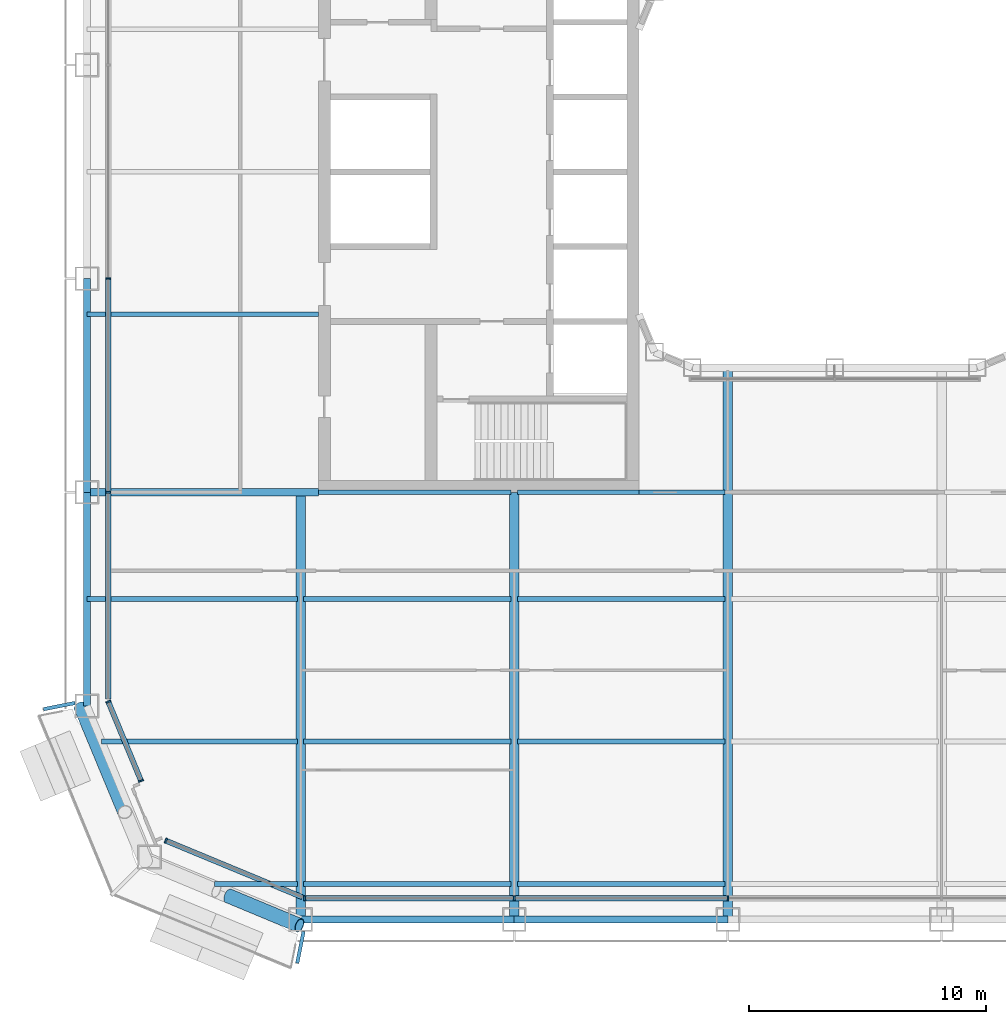
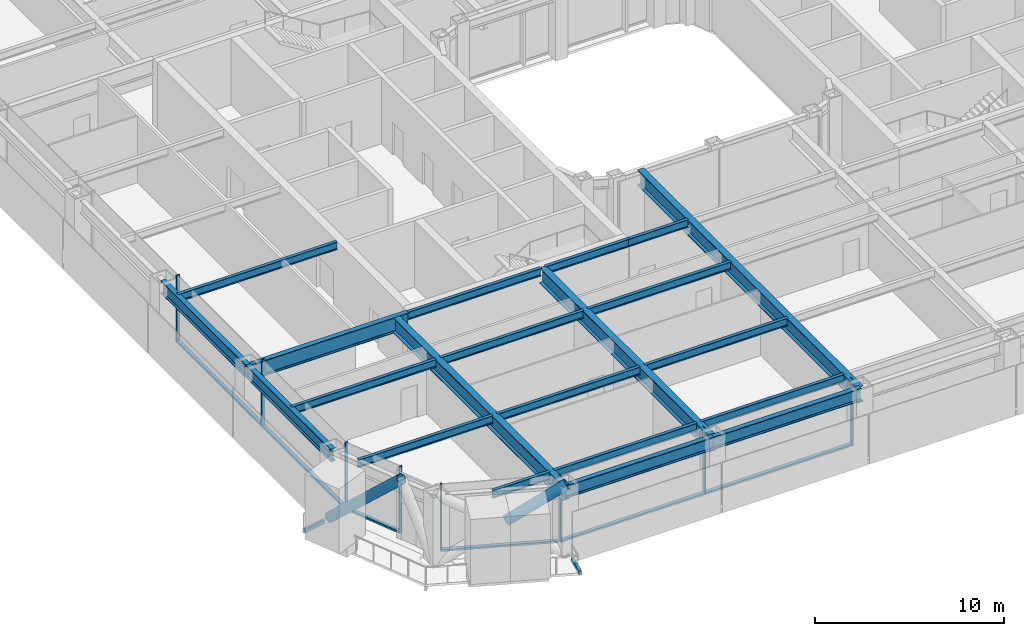
# One storey, part 2 of 27: 23 beams, 16 members, 4 elements without a shape of their own.
"""IFC4 building model written with IfcOpenShell, lengths in metres."""

import ifcopenshell
import ifcopenshell.guid

model = None  # the IFC model being written
_history = None  # IfcOwnerHistory: only IFC2X3 demands one
_inside = {}  # id of a spatial element -> (the spatial element, [elements in it])
_under = {}  # id of a project, library or spatial element -> (it, [spatial elements below it])
_declared = {}  # id of a project -> (the project, [libraries it declares])
_typed = {}  # id of a type object -> (the type object, [elements of that type])
_made_of = {}  # id of a material, layer set ... -> (it, [elements and type objects made of it])


def new_model(schema):
    """Start an empty IFC model of exactly this schema.

    Asked for "IFC4X3", IfcOpenShell would pick the latest addendum, in which some entities
    have other attributes; the version numbers below select the first issue.
    IFC2X3 requires an IfcOwnerHistory on every rooted entity: one is made here for all.
    """
    global model, _history
    if schema == "IFC4X3":
        model = ifcopenshell.file(schema_version=(4, 3, 0, 0))
    else:
        model = ifcopenshell.file(schema=schema)
    _inside.clear()
    _under.clear()
    _declared.clear()
    _typed.clear()
    _made_of.clear()
    _history = None
    if model.schema == "IFC2X3":
        org = make("IfcOrganization", Name="unknown")
        user = make(
            "IfcPersonAndOrganization",
            ThePerson=make("IfcPerson", FamilyName="unknown"),
            TheOrganization=org,
        )
        app = make(
            "IfcApplication",
            ApplicationDeveloper=org,
            Version="unknown",
            ApplicationFullName="unknown",
            ApplicationIdentifier="unknown",
        )
        _history = make(
            "IfcOwnerHistory",
            OwningUser=user,
            OwningApplication=app,
            ChangeAction="ADDED",
            CreationDate=0,
        )
    return model


def make(cls, **values):
    """One entity of the class cls with the attributes given. An attribute that is None is left unset."""
    return model.create_entity(
        cls, **{name: value for name, value in values.items() if value is not None}
    )


def rooted(cls, **values):
    """An entity with a GlobalId (a new one), such as an element, a storey or a relation."""
    return make(cls, GlobalId=ifcopenshell.guid.new(), OwnerHistory=_history, **values)


def si_unit(unit_type, name, prefix=None):
    """IfcSIUnit, for example si_unit("LENGTHUNIT", "METRE", prefix="MILLI")."""
    return make("IfcSIUnit", UnitType=unit_type, Prefix=prefix, Name=name)


def assignment(units):
    """IfcUnitAssignment: the units of a project."""
    return None if units is None else make("IfcUnitAssignment", Units=units)


def point(xyz):
    """IfcCartesianPoint."""
    return None if xyz is None else make("IfcCartesianPoint", Coordinates=xyz)


def direction(xyz):
    """IfcDirection."""
    return None if xyz is None else make("IfcDirection", DirectionRatios=xyz)


def frame(location, z_axis=None, x_axis=None):
    """IfcAxis2Placement3D, a coordinate frame: its origin and axes. An axis left out is left unset."""
    return make(
        "IfcAxis2Placement3D",
        Location=point(location),
        Axis=direction(z_axis),
        RefDirection=direction(x_axis),
    )


def frame_2d(location, x_axis=None):
    """IfcAxis2Placement2D, a coordinate frame in the plane: its origin and x axis."""
    return make(
        "IfcAxis2Placement2D", Location=point(location), RefDirection=direction(x_axis)
    )


def origin():
    """The frame at (0, 0, 0) with its axes left unset."""
    return frame((0.0, 0.0, 0.0))


def origin_2d():
    """The frame at (0, 0) in the plane with its x axis left unset."""
    return frame_2d((0.0, 0.0))


def place(relative_to, where):
    """IfcLocalPlacement: puts the frame where relative to a parent placement (None: the world)."""
    return make(
        "IfcLocalPlacement", PlacementRelTo=relative_to, RelativePlacement=where
    )


def context(
    kind, dimensions, precision=None, world=None, true_north=None, identifier=None
):
    """IfcGeometricRepresentationContext, for example the 3D "Model" context."""
    return make(
        "IfcGeometricRepresentationContext",
        ContextIdentifier=identifier,
        ContextType=kind,
        CoordinateSpaceDimension=dimensions,
        Precision=precision,
        WorldCoordinateSystem=world,
        TrueNorth=true_north,
    )


def subcontext(parent, identifier, kind, view, scale=None):
    """IfcGeometricRepresentationSubContext, for example "Body" below "Model"."""
    return make(
        "IfcGeometricRepresentationSubContext",
        ContextIdentifier=identifier,
        ContextType=kind,
        ParentContext=parent,
        TargetScale=scale,
        TargetView=view,
    )


def project(units=None, contexts=None):
    """IfcProject with its units and contexts."""
    return rooted(
        "IfcProject",
        Name="project",
        RepresentationContexts=contexts,
        UnitsInContext=assignment(units),
    )


def spatial(cls, under=None, at=None, **own):
    """A site, building, storey or space (cls), placed at a placement, below another one or the project."""
    s = rooted(cls, ObjectPlacement=at, **own)
    if under is not None:
        _under.setdefault(under.id(), (under, []))[1].append(s)
    return s


def profile(cls, at=None, kind="AREA", **sizes):
    """A parametric profile (cls). Its sizes go by their IFC names, for example OverallWidth=200.0."""
    return make(cls, ProfileType=kind, Position=at, **sizes)


def rectangle(**sizes):
    """IfcRectangleProfileDef."""
    return profile("IfcRectangleProfileDef", **sizes)


def hollow_rectangle(**sizes):
    """IfcRectangleHollowProfileDef."""
    return profile("IfcRectangleHollowProfileDef", **sizes)


def hollow_circle(**sizes):
    """IfcCircleHollowProfileDef."""
    return profile("IfcCircleHollowProfileDef", **sizes)


def i_section(**sizes):
    """IfcIShapeProfileDef."""
    return profile("IfcIShapeProfileDef", **sizes)


def extrude(swept, where, along, depth):
    """IfcExtrudedAreaSolid: the profile swept, set in the frame where, extruded along a direction by depth."""
    return make(
        "IfcExtrudedAreaSolid",
        SweptArea=swept,
        Position=where,
        ExtrudedDirection=direction(along),
        Depth=depth,
    )


def shape(context_of_items, identifier, shape_type, items):
    """IfcShapeRepresentation: the items that make up one representation, for example the "Body"."""
    return make(
        "IfcShapeRepresentation",
        ContextOfItems=context_of_items,
        RepresentationIdentifier=identifier,
        RepresentationType=shape_type,
        Items=items,
    )


def material(Name=None, Category=None):
    """IfcMaterial."""
    return make("IfcMaterial", Name=Name, Category=Category)


def layer(
    of_material, thickness, ventilated=None, Name=None, Category=None, Priority=None
):
    """IfcMaterialLayer: one layer of a wall or slab, of a material (None: an air gap)."""
    return make(
        "IfcMaterialLayer",
        Material=of_material,
        LayerThickness=thickness,
        IsVentilated=ventilated,
        Name=Name,
        Category=Category,
        Priority=Priority,
    )


def layer_set(layers, Name=None):
    """IfcMaterialLayerSet."""
    return make("IfcMaterialLayerSet", MaterialLayers=layers, LayerSetName=Name)


def material_profile(
    of_material, cross_section, Name=None, Category=None, Priority=None
):
    """IfcMaterialProfile: a cross section and its material."""
    return make(
        "IfcMaterialProfile",
        Name=Name,
        Material=of_material,
        Profile=cross_section,
        Priority=Priority,
        Category=Category,
    )


def profile_set(profiles, Name=None, composite=None):
    """IfcMaterialProfileSet."""
    return make(
        "IfcMaterialProfileSet",
        Name=Name,
        MaterialProfiles=profiles,
        CompositeProfile=composite,
    )


def made_of(thing, what):
    """Note that an element or type object is made of a material, layer set ...; save() writes the relation."""
    if what is not None:
        _made_of.setdefault(what.id(), (what, []))[1].append(thing)
    return thing


def type_object(cls, material=None, **own):
    """A type object (cls), such as IfcWallType, which elements share."""
    return made_of(rooted(cls, **own), material)


def element(
    cls,
    number,
    at=None,
    inside=None,
    cuts=None,
    type_object=None,
    material=None,
    context=None,
    identifier="Body",
    shape_type=None,
    held_by="IfcProductDefinitionShape",
    body=None,
    shapes=None,
    **own,
):
    """One element of the class cls, such as IfcWall. Its Tag is "e" and its number.

    at: its placement. inside: the storey or other place that contains it. cuts: it is an
    opening in that element (IfcRelVoidsElement). A single representation is given by context,
    identifier, shape_type and body (its items); several are given by shapes. held_by: the class
    of the entity that holds the representations. save() writes the other relations.
    """
    e = rooted(cls, Tag="e%d" % number, ObjectPlacement=at, **own)
    if body is not None:
        shapes = [shape(context, identifier, shape_type, body)]
    if shapes is not None:
        e.Representation = make(held_by, Representations=shapes)
    if inside is not None:
        _inside.setdefault(inside.id(), (inside, []))[1].append(e)
    if cuts is not None:
        rooted(
            "IfcRelVoidsElement", RelatingBuildingElement=cuts, RelatedOpeningElement=e
        )
    if type_object is not None:
        _typed.setdefault(type_object.id(), (type_object, []))[1].append(e)
    return made_of(e, material)


def aggregate(whole, parts):
    """IfcRelAggregates: a whole, such as a stair, and the parts it consists of."""
    return rooted("IfcRelAggregates", RelatingObject=whole, RelatedObjects=parts)


def save(model, path):
    """Write the relations noted so far, then the file.

    IfcRelAggregates (storeys below a building ...), IfcRelContainedInSpatialStructure (elements
    in a storey), IfcRelDefinesByType, IfcRelAssociatesMaterial and IfcRelDeclares: one each for
    every whole, place, type object, material and project.
    """
    for whole, parts in _under.values():
        aggregate(whole, parts)
    for where, things in _inside.values():
        rooted(
            "IfcRelContainedInSpatialStructure",
            RelatedElements=things,
            RelatingStructure=where,
        )
    for kind, things in _typed.values():
        rooted("IfcRelDefinesByType", RelatedObjects=things, RelatingType=kind)
    for what, things in _made_of.values():
        rooted("IfcRelAssociatesMaterial", RelatedObjects=things, RelatingMaterial=what)
    for by, libraries in _declared.values():
        rooted("IfcRelDeclares", RelatingContext=by, RelatedDefinitions=libraries)
    model.write(path)


model = new_model("IFC4")

# Units and contexts
model_context = context("Model", 3, precision=1e-05, world=origin(), true_north=direction((0.0, 1.0)))
body_context = subcontext(model_context, "Body", "Model", "MODEL_VIEW")
ifc_project = project(units=[si_unit("LENGTHUNIT", "METRE"), si_unit("AREAUNIT", "SQUARE_METRE"), si_unit("VOLUMEUNIT", "CUBIC_METRE"), si_unit("PLANEANGLEUNIT", "RADIAN"), si_unit("MASSUNIT", "GRAM", prefix="KILO")], contexts=[model_context])

# Site, building, storey
site_placement = place(None, origin())
site = spatial("IfcSite", under=ifc_project, at=site_placement, CompositionType="ELEMENT")
building_placement = place(site_placement, origin())
building = spatial("IfcBuilding", under=site, at=building_placement, Name="Siwar Civic Tower", CompositionType="ELEMENT")
storey_placement = place(building_placement, frame((0.0, 0.0, 89.699951171875)))
storey = spatial("IfcBuildingStorey", under=building, at=storey_placement, Name="L19", CompositionType="ELEMENT", Elevation=89.699951171875)

# Beams
ifc_material_1 = material(Name="Steel S355", Category="steel")
ifc_material_profile_1 = material_profile(ifc_material_1, hollow_rectangle(XDim=0.14990234375, YDim=0.25, WallThickness=0.010009765625, at=origin_2d()), Name="RHS250x150x10")
ifc_profile_set_1 = profile_set([ifc_material_profile_1], Name="Steel S355")
beam_type_1 = type_object("IfcBeamType", Name="ENV-BALCONY ARM", PredefinedType="BEAM", material=ifc_profile_set_1)
for number, where, z_axis, x_axis, name in (
    (1, (-32.0, -22.375244140625, -0.27490234375), (-0.980807679798, -0.194977678848, 0.0), (0.194977678848, -0.980807679798, 0.0), "Balcony cantilever beam SW 1"),
    (2, (-22.375244140625, -32.0, -0.27490234375), (-0.194977678848, -0.980807679798, 0.0), (0.980807679798, -0.194977678848, 0.0), "Balcony cantilever beam SW 3"),
):
    element("IfcBeam", number, at=place(storey_placement, frame(where, z_axis=z_axis, x_axis=x_axis)), inside=storey, type_object=beam_type_1, Name=name, PredefinedType="BEAM", context=body_context, shape_type="SweptSolid", body=[
        extrude(hollow_rectangle(XDim=0.14990234375, YDim=0.25, WallThickness=0.010009765625, at=origin_2d()), origin(), (0.0, 0.0, 1.0), 1.361083984375),
    ])

# Curtain wall, members
ifc_material_2 = material(Name="Aluminium and glass", Category="aluminium")
ifc_layer_1 = layer(ifc_material_2, 0.219970703125)
ifc_layer_set_1 = layer_set([ifc_layer_1], Name="Aluminium and glass")
curtain_wall_type_1 = type_object("IfcCurtainWallType", Name="ENV-CW-A", PredefinedType="NOTDEFINED", material=ifc_layer_set_1)
curtain_wall_1_placement = place(storey_placement, origin())
curtain_wall_1 = element("IfcCurtainWall", 3, at=curtain_wall_1_placement, inside=storey, type_object=curtain_wall_type_1, Name="Curtain wall A S", PredefinedType="NOTDEFINED")
ifc_material_3 = material(Name="Aluminium 6063-T6", Category="aluminium")
ifc_material_profile_2 = material_profile(ifc_material_3, rectangle(XDim=0.219970703125, YDim=0.070068359375, at=origin_2d()), Name="AL 220x70")
ifc_profile_set_2 = profile_set([ifc_material_profile_2], Name="Aluminium 6063-T6")
member_type_1 = type_object("IfcMemberType", Name="ENV-MULLION-A", PredefinedType="MULLION", material=ifc_profile_set_2)
member_1_placement = place(storey_placement, frame((-22.321044921875, -30.60009765625, 0.0), z_axis=(0.0, 0.0, 1.0), x_axis=(0.0, 1.0, 0.0)))
member_1 = element("IfcMember", 4, at=member_1_placement, type_object=member_type_1, Name="Mullion A S 1", PredefinedType="MULLION", context=body_context, shape_type="SweptSolid", body=[
    extrude(rectangle(XDim=0.219970703125, YDim=0.070068359375, at=origin_2d()), origin(), (0.0, 0.0, 1.0), 4.300048828125),
])
member_2_placement = place(storey_placement, frame((-13.5, -30.60009765625, 0.0), z_axis=(0.0, 0.0, 1.0), x_axis=(0.0, 1.0, 0.0)))
member_2 = element("IfcMember", 5, at=member_2_placement, type_object=member_type_1, Name="Mullion A S 2", PredefinedType="MULLION", context=body_context, shape_type="SweptSolid", body=[
    extrude(rectangle(XDim=0.219970703125, YDim=0.070068359375, at=origin_2d()), origin(), (0.0, 0.0, 1.0), 4.300048828125),
])
member_3_placement = place(storey_placement, frame((-4.5, -30.60009765625, 0.0), z_axis=(0.0, 0.0, 1.0), x_axis=(0.0, 1.0, 0.0)))
member_3 = element("IfcMember", 6, at=member_3_placement, type_object=member_type_1, Name="Mullion A S 3", PredefinedType="MULLION", context=body_context, shape_type="SweptSolid", body=[
    extrude(rectangle(XDim=0.219970703125, YDim=0.070068359375, at=origin_2d()), origin(), (0.0, 0.0, 1.0), 4.300048828125),
])

curtain_wall_2_placement = place(storey_placement, origin())
curtain_wall_2 = element("IfcCurtainWall", 7, at=curtain_wall_2_placement, inside=storey, type_object=curtain_wall_type_1, Name="Curtain wall A W", PredefinedType="NOTDEFINED")
member_4_placement = place(storey_placement, frame((-30.60009765625, -4.5, 0.0), z_axis=(0.0, 0.0, 1.0), x_axis=(1.0, 0.0, 0.0)))
member_4 = element("IfcMember", 8, at=member_4_placement, type_object=member_type_1, Name="Mullion A W 4", PredefinedType="MULLION", context=body_context, shape_type="SweptSolid", body=[
    extrude(rectangle(XDim=0.219970703125, YDim=0.070068359375, at=origin_2d()), origin(), (0.0, 0.0, 1.0), 4.300048828125),
])
member_5_placement = place(storey_placement, frame((-30.60009765625, -13.5, 0.0), z_axis=(0.0, 0.0, 1.0), x_axis=(1.0, 0.0, 0.0)))
member_5 = element("IfcMember", 9, at=member_5_placement, type_object=member_type_1, Name="Mullion A W 5", PredefinedType="MULLION", context=body_context, shape_type="SweptSolid", body=[
    extrude(rectangle(XDim=0.219970703125, YDim=0.070068359375, at=origin_2d()), origin(), (0.0, 0.0, 1.0), 4.300048828125),
])

ifc_material_4 = material(Name="Aluminium clad insulated panel", Category="aluminium")
ifc_layer_2 = layer(ifc_material_4, 0.219970703125)
ifc_layer_set_2 = layer_set([ifc_layer_2], Name="Aluminium clad insulated panel")
curtain_wall_type_2 = type_object("IfcCurtainWallType", Name="ENV-CW-AX", PredefinedType="NOTDEFINED", material=ifc_layer_set_2)
curtain_wall_3_placement = place(storey_placement, origin())
curtain_wall_3 = element("IfcCurtainWall", 10, at=curtain_wall_3_placement, inside=storey, type_object=curtain_wall_type_2, Name="Curtain wall A SW1", PredefinedType="NOTDEFINED")
member_6_placement = place(storey_placement, frame((-30.60009765625, -22.321044921875, 0.0), z_axis=(0.0, 0.0, 1.0), x_axis=(0.923879532511, 0.382683432365, 0.0)))
member_6 = element("IfcMember", 11, at=member_6_placement, type_object=member_type_1, Name="Mullion A SW1 1", PredefinedType="MULLION", context=body_context, shape_type="SweptSolid", body=[
    extrude(rectangle(XDim=0.219970703125, YDim=0.070068359375, at=origin_2d()), origin(), (0.0, 0.0, 1.0), 4.300048828125),
])
member_7_placement = place(storey_placement, frame((-29.219482421875, -25.653564453125, 0.0), z_axis=(0.0, 0.0, 1.0), x_axis=(0.923879532511, 0.382683432365, 0.0)))
member_7 = element("IfcMember", 12, at=member_7_placement, type_object=member_type_1, Name="Mullion A SW1 2", PredefinedType="MULLION", context=body_context, shape_type="SweptSolid", body=[
    extrude(rectangle(XDim=0.219970703125, YDim=0.070068359375, at=origin_2d()), origin(), (0.0, 0.0, 1.0), 4.300048828125),
])

# Curtain wall, member
curtain_wall_4_placement = place(storey_placement, origin())
curtain_wall_4 = element("IfcCurtainWall", 13, at=curtain_wall_4_placement, inside=storey, type_object=curtain_wall_type_2, Name="Curtain wall A SW2", PredefinedType="NOTDEFINED")
member_8_placement = place(storey_placement, frame((-28.175048828125, -28.175048828125, 0.0), z_axis=(0.0, 0.0, 1.0), x_axis=(0.382683432365, 0.923879532511, 0.0)))
member_8 = element("IfcMember", 14, at=member_8_placement, type_object=member_type_1, Name="Mullion A SW2 1", PredefinedType="MULLION", context=body_context, shape_type="SweptSolid", body=[
    extrude(rectangle(XDim=0.219970703125, YDim=0.070068359375, at=origin_2d()), origin(), (0.0, 0.0, 1.0), 4.300048828125),
])

# Member
ifc_material_5 = material(Name="Aluminium 6063-T6", Category="aluminium")
ifc_material_profile_3 = material_profile(ifc_material_5, rectangle(XDim=0.219970703125, YDim=0.1201171875, at=origin_2d()), Name="AL 220x120")
ifc_profile_set_3 = profile_set([ifc_material_profile_3], Name="Aluminium 6063-T6")
member_type_2 = type_object("IfcMemberType", Name="ENV-TRANSOM-A", PredefinedType="USERDEFINED", material=ifc_profile_set_3)
member_9_placement = place(storey_placement, frame((-22.285888671875, -30.60009765625, 0.06005859375), z_axis=(1.0, 0.0, 0.0), x_axis=(0.0, 1.0, 0.0)))
member_9 = element("IfcMember", 15, at=member_9_placement, type_object=member_type_2, Name="Transom A S 1", ObjectType="TRANSOM", PredefinedType="USERDEFINED", context=body_context, shape_type="SweptSolid", body=[
    extrude(rectangle(XDim=0.219970703125, YDim=0.1201171875, at=origin_2d()), origin(), (0.0, 0.0, 1.0), 8.7509765625),
])

member_10_placement = place(storey_placement, frame((-13.465087890625, -30.60009765625, 0.06005859375), z_axis=(1.0, 0.0, 0.0), x_axis=(0.0, 1.0, 0.0)))
member_10 = element("IfcMember", 16, at=member_10_placement, type_object=member_type_2, Name="Transom A S 2", ObjectType="TRANSOM", PredefinedType="USERDEFINED", context=body_context, shape_type="SweptSolid", body=[
    extrude(rectangle(XDim=0.219970703125, YDim=0.1201171875, at=origin_2d()), origin(), (0.0, 0.0, 1.0), 8.93017578125),
])

aggregate(curtain_wall_1, [member_1, member_2, member_3, member_9, member_10])

member_11_placement = place(storey_placement, frame((-30.60009765625, -4.534912109375, 0.06005859375), z_axis=(0.0, -1.0, 0.0), x_axis=(1.0, 0.0, 0.0)))
member_11 = element("IfcMember", 17, at=member_11_placement, type_object=member_type_2, Name="Transom A W 4", ObjectType="TRANSOM", PredefinedType="USERDEFINED", context=body_context, shape_type="SweptSolid", body=[
    extrude(rectangle(XDim=0.219970703125, YDim=0.1201171875, at=origin_2d()), origin(), (0.0, 0.0, 1.0), 8.93017578125),
])

member_12_placement = place(storey_placement, frame((-30.60009765625, -13.534912109375, 0.06005859375), z_axis=(0.0, -1.0, 0.0), x_axis=(1.0, 0.0, 0.0)))
member_12 = element("IfcMember", 18, at=member_12_placement, type_object=member_type_2, Name="Transom A W 5", ObjectType="TRANSOM", PredefinedType="USERDEFINED", context=body_context, shape_type="SweptSolid", body=[
    extrude(rectangle(XDim=0.219970703125, YDim=0.1201171875, at=origin_2d()), origin(), (0.0, 0.0, 1.0), 8.66357421875),
])

aggregate(curtain_wall_2, [member_4, member_5, member_11, member_12])

member_13_placement = place(storey_placement, frame((-30.586669921875, -22.353271484375, 0.06005859375), z_axis=(0.38270330002, -0.923871302809, 0.0), x_axis=(0.923871302809, 0.38270330002, 0.0)))
member_13 = element("IfcMember", 19, at=member_13_placement, type_object=member_type_2, Name="Transom A SW1 1", ObjectType="TRANSOM", PredefinedType="USERDEFINED", context=body_context, shape_type="SweptSolid", body=[
    extrude(rectangle(XDim=0.219970703125, YDim=0.1201171875, at=origin_2d()), origin(), (0.0, 0.0, 1.0), 3.537353515625),
])

aggregate(curtain_wall_3, [member_6, member_7, member_13])

member_14_placement = place(storey_placement, frame((-28.142822265625, -28.1884765625, 0.06005859375), z_axis=(0.923873326341, -0.382698415042, 0.0), x_axis=(0.382698415042, 0.923873326341, 0.0)))
member_14 = element("IfcMember", 20, at=member_14_placement, type_object=member_type_2, Name="Transom A SW2 1", ObjectType="TRANSOM", PredefinedType="USERDEFINED", context=body_context, shape_type="SweptSolid", body=[
    extrude(rectangle(XDim=0.219970703125, YDim=0.1201171875, at=origin_2d()), origin(), (0.0, 0.0, 1.0), 6.17919921875),
])

aggregate(curtain_wall_4, [member_8, member_14])

# Members
ifc_material_6 = material(Name="Steel S355", Category="steel")
ifc_material_profile_4 = material_profile(ifc_material_6, hollow_circle(Radius=0.304931640625, WallThickness=0.030029296875, at=origin_2d()), Name="CHS610x30")
ifc_profile_set_4 = profile_set([ifc_material_profile_4], Name="Steel S355")
member_type_3 = type_object("IfcMemberType", Name="STR-BR-CHS610x30", PredefinedType="BRACE", material=ifc_profile_set_4)
member_15_placement = place(storey_placement, frame((-25.537353515625, -30.500244140625, 2.428466796875), z_axis=(0.777559680196, -0.3238932121, 0.53897507446), x_axis=(0.384524353215, 0.923114847559, 0.0)))
element("IfcMember", 21, at=member_15_placement, inside=storey, type_object=member_type_3, Name="L19/brc/ASW1-18-0-3", PredefinedType="BRACE", context=body_context, shape_type="SweptSolid", body=[
    extrude(hollow_circle(Radius=0.304931640625, WallThickness=0.030029296875, at=origin_2d()), origin(), (0.0, 0.0, 1.0), 3.843505859375),
])
member_16_placement = place(storey_placement, frame((-31.7451171875, -22.548828125, 0.0), z_axis=(0.280310719993, -0.672864582402, 0.684601456328), x_axis=(0.923101041979, 0.384557494138, 0.0)))
element("IfcMember", 22, at=member_16_placement, inside=storey, type_object=member_type_3, Name="L19/brc/ASW1-18-0-0", PredefinedType="BRACE", context=body_context, shape_type="SweptSolid", body=[
    extrude(hollow_circle(Radius=0.304931640625, WallThickness=0.030029296875, at=origin_2d()), origin(), (0.0, 0.0, 1.0), 6.5732421875),
])

# Beams
ifc_material_7 = material(Name="Steel S355", Category="steel")
ifc_material_profile_5 = material_profile(ifc_material_7, i_section(OverallWidth=0.199951171875, OverallDepth=0.5, WebThickness=0.01025390625, FlangeThickness=0.01611328125, FilletRadius=0.02099609375, at=origin_2d()), Name="IPE500")
ifc_profile_set_5 = profile_set([ifc_material_profile_5], Name="Steel S355")
beam_type_2 = type_object("IfcBeamType", Name="STR-FB-IPE500", PredefinedType="JOIST", material=ifc_profile_set_5)
beam_1_placement = place(storey_placement, frame((-26.121337890625, -30.0, 4.050048828125), z_axis=(1.0, 0.0, 0.0), x_axis=(0.0, 1.0, 0.0)))
element("IfcBeam", 23, at=beam_1_placement, inside=storey, type_object=beam_type_2, Name="L19/bm/F001", PredefinedType="JOIST", context=body_context, shape_type="SweptSolid", body=[
    extrude(i_section(OverallWidth=0.199951171875, OverallDepth=0.5, WebThickness=0.01025390625, FlangeThickness=0.01611328125, FilletRadius=0.02099609375, at=origin_2d()), origin(), (0.0, 0.0, 1.0), 3.491455078125),
])
for number, where, z_axis, x_axis, name in (
    (24, (-22.3701171875, -30.0, 4.050048828125), (1.0, 0.0, 0.0), (0.0, 1.0, 0.0), "L19/bm/F002"),
    (25, (-13.3701171875, -30.0, 4.050048828125), (1.0, 0.0, 0.0), (0.0, 1.0, 0.0), "L19/bm/F003"),
):
    element("IfcBeam", number, at=place(storey_placement, frame(where, z_axis=z_axis, x_axis=x_axis)), inside=storey, type_object=beam_type_2, Name=name, PredefinedType="JOIST", context=body_context, shape_type="SweptSolid", body=[
        extrude(i_section(OverallWidth=0.199951171875, OverallDepth=0.5, WebThickness=0.01025390625, FlangeThickness=0.01611328125, FilletRadius=0.02099609375, at=origin_2d()), origin(), (0.0, 0.0, 1.0), 8.740234375),
    ])
beam_2_placement = place(storey_placement, frame((-30.878662109375, -24.0, 4.050048828125), z_axis=(1.0, 0.0, 0.0), x_axis=(0.0, 1.0, 0.0)))
element("IfcBeam", 26, at=beam_2_placement, inside=storey, type_object=beam_type_2, Name="L19/bm/F008", PredefinedType="JOIST", context=body_context, shape_type="SweptSolid", body=[
    extrude(i_section(OverallWidth=0.199951171875, OverallDepth=0.5, WebThickness=0.01025390625, FlangeThickness=0.01611328125, FilletRadius=0.02099609375, at=origin_2d()), origin(), (0.0, 0.0, 1.0), 8.248779296875),
])
for number, where, z_axis, x_axis, name in (
    (27, (-22.3701171875, -24.0, 4.050048828125), (1.0, 0.0, 0.0), (0.0, 1.0, 0.0), "L19/bm/F009"),
    (28, (-13.3701171875, -24.0, 4.050048828125), (1.0, 0.0, 0.0), (0.0, 1.0, 0.0), "L19/bm/F010"),
):
    element("IfcBeam", number, at=place(storey_placement, frame(where, z_axis=z_axis, x_axis=x_axis)), inside=storey, type_object=beam_type_2, Name=name, PredefinedType="JOIST", context=body_context, shape_type="SweptSolid", body=[
        extrude(i_section(OverallWidth=0.199951171875, OverallDepth=0.5, WebThickness=0.01025390625, FlangeThickness=0.01611328125, FilletRadius=0.02099609375, at=origin_2d()), origin(), (0.0, 0.0, 1.0), 8.740234375),
    ])
beam_3_placement = place(storey_placement, frame((-31.5, -18.0, 4.050048828125), z_axis=(1.0, 0.0, 0.0), x_axis=(0.0, 1.0, 0.0)))
element("IfcBeam", 29, at=beam_3_placement, inside=storey, type_object=beam_type_2, Name="L19/bm/F015", PredefinedType="JOIST", context=body_context, shape_type="SweptSolid", body=[
    extrude(i_section(OverallWidth=0.199951171875, OverallDepth=0.5, WebThickness=0.01025390625, FlangeThickness=0.01611328125, FilletRadius=0.02099609375, at=origin_2d()), origin(), (0.0, 0.0, 1.0), 8.8701171875),
])
for number, where, z_axis, x_axis, name in (
    (30, (-22.3701171875, -18.0, 4.050048828125), (1.0, 0.0, 0.0), (0.0, 1.0, 0.0), "L19/bm/F016"),
    (31, (-13.3701171875, -18.0, 4.050048828125), (1.0, 0.0, 0.0), (0.0, 1.0, 0.0), "L19/bm/F017"),
):
    element("IfcBeam", number, at=place(storey_placement, frame(where, z_axis=z_axis, x_axis=x_axis)), inside=storey, type_object=beam_type_2, Name=name, PredefinedType="JOIST", context=body_context, shape_type="SweptSolid", body=[
        extrude(i_section(OverallWidth=0.199951171875, OverallDepth=0.5, WebThickness=0.01025390625, FlangeThickness=0.01611328125, FilletRadius=0.02099609375, at=origin_2d()), origin(), (0.0, 0.0, 1.0), 8.740234375),
    ])
beam_4_placement = place(storey_placement, frame((-21.75, -13.5, 4.050048828125), z_axis=(1.0, 0.0, 0.0), x_axis=(0.0, 1.0, 0.0)))
element("IfcBeam", 32, at=beam_4_placement, inside=storey, type_object=beam_type_2, Name="L19/bm/F023", PredefinedType="JOIST", context=body_context, shape_type="SweptSolid", body=[
    extrude(i_section(OverallWidth=0.199951171875, OverallDepth=0.5, WebThickness=0.01025390625, FlangeThickness=0.01611328125, FilletRadius=0.02099609375, at=origin_2d()), origin(), (0.0, 0.0, 1.0), 8.1201171875),
])
beam_5_placement = place(storey_placement, frame((-13.3701171875, -13.5, 4.050048828125), z_axis=(1.0, 0.0, 0.0), x_axis=(0.0, 1.0, 0.0)))
element("IfcBeam", 33, at=beam_5_placement, inside=storey, type_object=beam_type_2, Name="L19/bm/F024", PredefinedType="JOIST", context=body_context, shape_type="SweptSolid", body=[
    extrude(i_section(OverallWidth=0.199951171875, OverallDepth=0.5, WebThickness=0.01025390625, FlangeThickness=0.01611328125, FilletRadius=0.02099609375, at=origin_2d()), origin(), (0.0, 0.0, 1.0), 5.1201171875),
])
beam_6_placement = place(storey_placement, frame((-8.25, -13.5, 4.050048828125), z_axis=(1.0, 0.0, 0.0), x_axis=(0.0, 1.0, 0.0)))
element("IfcBeam", 34, at=beam_6_placement, inside=storey, type_object=beam_type_2, Name="L19/bm/F025", PredefinedType="JOIST", context=body_context, shape_type="SweptSolid", body=[
    extrude(i_section(OverallWidth=0.199951171875, OverallDepth=0.5, WebThickness=0.01025390625, FlangeThickness=0.01611328125, FilletRadius=0.02099609375, at=origin_2d()), origin(), (0.0, 0.0, 1.0), 3.6201171875),
])
beam_7_placement = place(storey_placement, frame((-31.5, -6.0, 4.050048828125), z_axis=(1.0, 0.0, 0.0), x_axis=(0.0, 1.0, 0.0)))
element("IfcBeam", 35, at=beam_7_placement, inside=storey, type_object=beam_type_2, Name="L19/bm/F031", PredefinedType="JOIST", context=body_context, shape_type="SweptSolid", body=[
    extrude(i_section(OverallWidth=0.199951171875, OverallDepth=0.5, WebThickness=0.01025390625, FlangeThickness=0.01611328125, FilletRadius=0.02099609375, at=origin_2d()), origin(), (0.0, 0.0, 1.0), 9.75),
])
ifc_material_8 = material(Name="Steel S355", Category="steel")
ifc_material_profile_6 = material_profile(ifc_material_8, i_section(OverallWidth=0.300048828125, OverallDepth=1.0, WebThickness=0.01904296875, FlangeThickness=0.035888671875, FilletRadius=0.030029296875, at=origin_2d()), Name="HEB1000")
ifc_profile_set_6 = profile_set([ifc_material_profile_6], Name="Steel S355")
beam_type_3 = type_object("IfcBeamType", Name="STR-PG-HEB1000", PredefinedType="BEAM", material=ifc_profile_set_6)
beam_8_placement = place(storey_placement, frame((-31.5, -13.5, 3.800048828125), z_axis=(1.0, 0.0, 0.0), x_axis=(0.0, 1.0, 0.0)))
element("IfcBeam", 36, at=beam_8_placement, inside=storey, type_object=beam_type_3, Name="L19/bm/F022", PredefinedType="BEAM", context=body_context, shape_type="SweptSolid", body=[
    extrude(i_section(OverallWidth=0.300048828125, OverallDepth=1.0, WebThickness=0.01904296875, FlangeThickness=0.035888671875, FilletRadius=0.030029296875, at=origin_2d()), origin(), (0.0, 0.0, 1.0), 9.75),
])
ifc_material_9 = material(Name="Steel S355", Category="steel")
ifc_material_profile_7 = material_profile(ifc_material_9, i_section(OverallWidth=0.39990234375, OverallDepth=1.0, WebThickness=0.01611328125, FlangeThickness=0.0400390625, at=origin_2d()), Name="PG1000x400x16x40")
ifc_profile_set_7 = profile_set([ifc_material_profile_7], Name="Steel S355")
beam_type_4 = type_object("IfcBeamType", Name="STR-PG-PG1000x400x16x40", PredefinedType="BEAM", material=ifc_profile_set_7)
for number, where, z_axis, x_axis, name in (
    (37, (-22.5, -31.5, 3.800048828125), (0.0, 1.0, 0.0), (-1.0, 0.0, 0.0), "L19/bm/G01"),
    (38, (-13.5, -31.5, 3.800048828125), (0.0, 1.0, 0.0), (-1.0, 0.0, 0.0), "L19/bm/G03"),
):
    element("IfcBeam", number, at=place(storey_placement, frame(where, z_axis=z_axis, x_axis=x_axis)), inside=storey, type_object=beam_type_4, Name=name, PredefinedType="BEAM", context=body_context, shape_type="SweptSolid", body=[
        extrude(i_section(OverallWidth=0.39990234375, OverallDepth=1.0, WebThickness=0.01611328125, FlangeThickness=0.0400390625, at=origin_2d()), origin(), (0.0, 0.0, 1.0), 18.0),
    ])
beam_9_placement = place(storey_placement, frame((-4.5, -31.5, 3.800048828125), z_axis=(0.0, 1.0, 0.0), x_axis=(-1.0, 0.0, 0.0)))
element("IfcBeam", 39, at=beam_9_placement, inside=storey, type_object=beam_type_4, Name="L19/bm/G05", PredefinedType="BEAM", context=body_context, shape_type="SweptSolid", body=[
    extrude(i_section(OverallWidth=0.39990234375, OverallDepth=1.0, WebThickness=0.01611328125, FlangeThickness=0.0400390625, at=origin_2d()), origin(), (0.0, 0.0, 1.0), 23.25),
])
ifc_material_10 = material(Name="Steel S355", Category="steel")
ifc_material_profile_8 = material_profile(ifc_material_10, i_section(OverallWidth=0.302978515625, OverallDepth=0.81396484375, WebThickness=0.02099609375, FlangeThickness=0.0400390625, FilletRadius=0.030029296875, at=origin_2d()), Name="HEM800")
ifc_profile_set_8 = profile_set([ifc_material_profile_8], Name="Steel S355")
beam_type_5 = type_object("IfcBeamType", Name="STR-SB-HEM800", PredefinedType="BEAM", material=ifc_profile_set_8)
for number, where, z_axis, x_axis, name in (
    (40, (-22.5, -31.5, 3.89306640625), (1.0, 0.0, 0.0), (0.0, 1.0, 0.0), "L19/bm/SS-0"),
    (41, (-13.5, -31.5, 3.89306640625), (1.0, 0.0, 0.0), (0.0, 1.0, 0.0), "L19/bm/SS-1"),
    (42, (-31.5, -4.5, 3.89306640625), (0.0, -1.0, 0.0), (1.0, 0.0, 0.0), "L19/bm/SW-3"),
    (43, (-31.5, -13.5, 3.89306640625), (0.0, -1.0, 0.0), (1.0, 0.0, 0.0), "L19/bm/SW-4"),
):
    element("IfcBeam", number, at=place(storey_placement, frame(where, z_axis=z_axis, x_axis=x_axis)), inside=storey, type_object=beam_type_5, Name=name, PredefinedType="BEAM", context=body_context, shape_type="SweptSolid", body=[
        extrude(i_section(OverallWidth=0.302978515625, OverallDepth=0.81396484375, WebThickness=0.02099609375, FlangeThickness=0.0400390625, FilletRadius=0.030029296875, at=origin_2d()), origin(), (0.0, 0.0, 1.0), 9.0),
    ])

save(model, "model.ifc")
